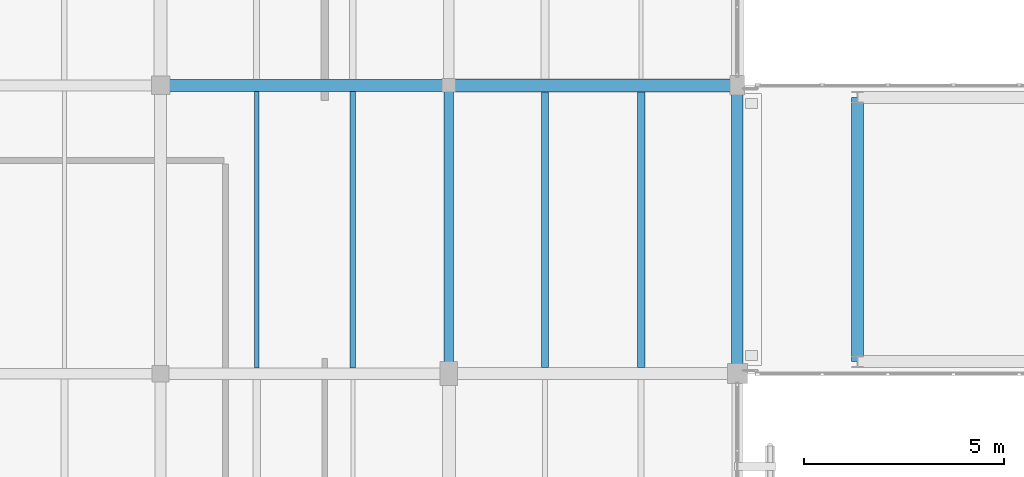
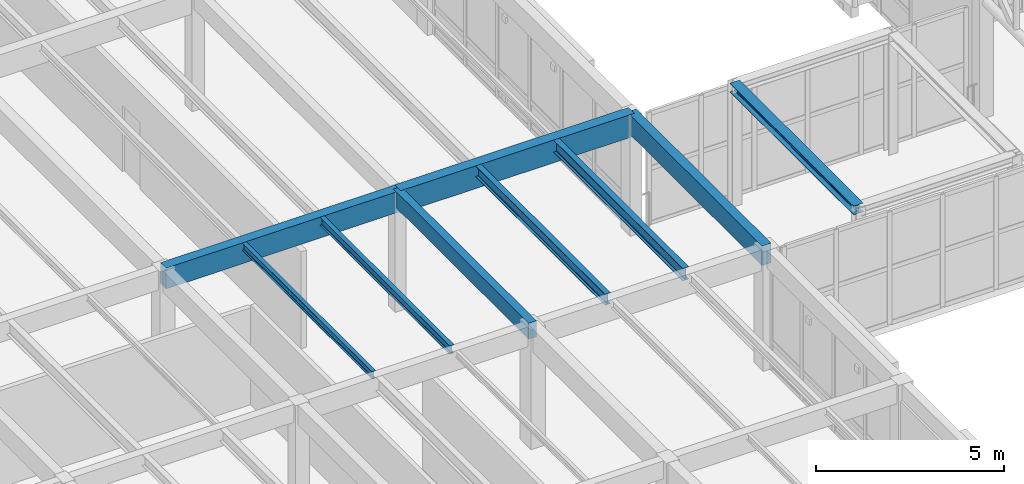
# One storey, part 63 of 217: 9 beams.
"""IFC4 building model written with IfcOpenShell, lengths in metres."""

from ifc_helpers import new_model, si_unit, direction, frame, origin, origin_2d, place, context, subcontext, project, spatial, rectangle, i_section, extrude, material, material_profile, profile_set, type_object, element, save


model = new_model("IFC4")

# Units and contexts
model_context = context("Model", 3, precision=1e-05, world=origin(), true_north=direction((0.0, 1.0)))
body_context = subcontext(model_context, "Body", "Model", "MODEL_VIEW")
ifc_project = project(units=[si_unit("LENGTHUNIT", "METRE"), si_unit("AREAUNIT", "SQUARE_METRE"), si_unit("VOLUMEUNIT", "CUBIC_METRE"), si_unit("PLANEANGLEUNIT", "RADIAN"), si_unit("MASSUNIT", "GRAM", prefix="KILO")], contexts=[model_context])

# Site, building, storey
site_placement = place(None, origin())
site = spatial("IfcSite", under=ifc_project, at=site_placement, CompositionType="ELEMENT")
building_placement = place(site_placement, origin())
building = spatial("IfcBuilding", under=site, at=building_placement, Name="Mazaris Harbour Polytechnic", CompositionType="ELEMENT")
storey_placement = place(building_placement, frame((0.0, 0.0, 9.60009765625)))
storey = spatial("IfcBuildingStorey", under=building, at=storey_placement, Name="L02", CompositionType="ELEMENT", Elevation=9.60009765625)

# Beams
ifc_material_1 = material(Name="Glulam GL32h", Category="wood")
ifc_material_profile_1 = material_profile(ifc_material_1, rectangle(XDim=0.239990234375, YDim=0.52001953125, at=origin_2d()), Name="RECT240x520")
ifc_profile_set_1 = profile_set([ifc_material_profile_1], Name="Glulam GL32h")
beam_type_1 = type_object("IfcBeamType", Name="Glulam Girder 240x520", PredefinedType="BEAM", material=ifc_profile_set_1)
beam_1_placement = place(storey_placement, frame((36.0, 75.60009765625, 3.6298828125), z_axis=(0.0, 1.0, 0.0), x_axis=(-1.0, 0.0, 0.0)))
element("IfcBeam", 1, at=beam_1_placement, inside=storey, type_object=beam_type_1, Name="V4 L02 Tie Girder 2030", PredefinedType="BEAM", context=body_context, shape_type="SweptSolid", body=[
    extrude(rectangle(XDim=0.239990234375, YDim=0.52001953125, at=origin_2d()), origin(), (0.0, 0.0, 1.0), 7.199951171875),
])
ifc_material_2 = material(Name="Glulam GL32h", Category="wood")
ifc_material_profile_2 = material_profile(ifc_material_2, rectangle(XDim=0.280029296875, YDim=0.639892578125, at=origin_2d()), Name="RECT280x640")
ifc_profile_set_2 = profile_set([ifc_material_profile_2], Name="Glulam GL32h")
beam_type_2 = type_object("IfcBeamType", Name="Glulam Girder 280x640 Exterior", PredefinedType="BEAM", material=ifc_profile_set_2)
beam_2_placement = place(storey_placement, frame((43.199951171875, 75.60009765625, 3.56982421875), z_axis=(0.0, 1.0, 0.0), x_axis=(-1.0, 0.0, 0.0)))
element("IfcBeam", 2, at=beam_2_placement, inside=storey, type_object=beam_type_2, Name="V4 L02 Tie Girder 2042", PredefinedType="BEAM", context=body_context, shape_type="SweptSolid", body=[
    extrude(rectangle(XDim=0.280029296875, YDim=0.639892578125, at=origin_2d()), origin(), (0.0, 0.0, 1.0), 7.199951171875),
])
ifc_material_3 = material(Name="Glulam GL32h", Category="wood")
ifc_material_profile_3 = material_profile(ifc_material_3, rectangle(XDim=0.300048828125, YDim=0.679931640625, at=origin_2d()), Name="RECT300x680")
ifc_profile_set_3 = profile_set([ifc_material_profile_3], Name="Glulam GL32h")
beam_type_3 = type_object("IfcBeamType", Name="Glulam Girder 300x680", PredefinedType="BEAM", material=ifc_profile_set_3)
beam_3_placement = place(storey_placement, frame((28.800048828125, 82.800048828125, 3.5498046875), z_axis=(1.0, 0.0, 0.0), x_axis=(0.0, 1.0, 0.0)))
element("IfcBeam", 3, at=beam_3_placement, inside=storey, type_object=beam_type_3, Name="V4 L02 Girder 1953", PredefinedType="BEAM", context=body_context, shape_type="SweptSolid", body=[
    extrude(rectangle(XDim=0.300048828125, YDim=0.679931640625, at=origin_2d()), origin(), (0.0, 0.0, 1.0), 7.199951171875),
])
ifc_material_4 = material(Name="Glulam GL32h", Category="wood")
ifc_material_profile_4 = material_profile(ifc_material_4, rectangle(XDim=0.320068359375, YDim=0.739990234375, at=origin_2d()), Name="RECT320x740")
ifc_profile_set_4 = profile_set([ifc_material_profile_4], Name="Glulam GL32h")
beam_type_4 = type_object("IfcBeamType", Name="Glulam Girder 320x740", PredefinedType="BEAM", material=ifc_profile_set_4)
beam_4_placement = place(storey_placement, frame((36.0, 82.800048828125, 3.52001953125), z_axis=(1.0, 0.0, 0.0), x_axis=(0.0, 1.0, 0.0)))
element("IfcBeam", 4, at=beam_4_placement, inside=storey, type_object=beam_type_4, Name="V4 L02 Girder 1954", PredefinedType="BEAM", context=body_context, shape_type="SweptSolid", body=[
    extrude(rectangle(XDim=0.320068359375, YDim=0.739990234375, at=origin_2d()), origin(), (0.0, 0.0, 1.0), 7.199951171875),
])
ifc_material_5 = material(Name="Steel S355", Category="steel")
ifc_material_profile_5 = material_profile(ifc_material_5, i_section(OverallWidth=0.300048828125, OverallDepth=0.2900390625, WebThickness=0.008544921875, FlangeThickness=0.013916015625, FilletRadius=0.027099609375, at=origin_2d()), Name="HEA 300")
ifc_profile_set_5 = profile_set([ifc_material_profile_5], Name="Steel S355")
beam_type_5 = type_object("IfcBeamType", Name="Steel Beam HEA300 Exterior", PredefinedType="SPANDREL", material=ifc_profile_set_5)
beam_5_placement = place(storey_placement, frame((46.199951171875, 75.89990234375, 3.81494140625), z_axis=(0.0, 1.0, 0.0), x_axis=(-1.0, 0.0, 0.0)))
element("IfcBeam", 5, at=beam_5_placement, inside=storey, type_object=beam_type_5, Name="PB-W2 L02 Bridge Beam 3432", PredefinedType="SPANDREL", context=body_context, shape_type="SweptSolid", body=[
    extrude(i_section(OverallWidth=0.300048828125, OverallDepth=0.2900390625, WebThickness=0.008544921875, FlangeThickness=0.013916015625, FilletRadius=0.027099609375, at=origin_2d()), origin(), (0.0, 0.0, 1.0), 6.60009765625),
])
ifc_material_6 = material(Name="Steel S355", Category="steel")
ifc_material_profile_6 = material_profile(ifc_material_6, i_section(OverallWidth=0.1201171875, OverallDepth=0.239990234375, WebThickness=0.006103515625, FlangeThickness=0.009765625, FilletRadius=0.014892578125, at=origin_2d()), Name="IPE 240")
ifc_profile_set_6 = profile_set([ifc_material_profile_6], Name="Steel S355")
beam_type_6 = type_object("IfcBeamType", Name="Steel Joist IPE240", PredefinedType="JOIST", material=ifc_profile_set_6)
beam_6_placement = place(storey_placement, frame((31.199951171875, 75.739990234375, 3.77001953125), z_axis=(0.0, 1.0, 0.0), x_axis=(-1.0, 0.0, 0.0)))
element("IfcBeam", 6, at=beam_6_placement, inside=storey, type_object=beam_type_6, Name="V4 L02 Floor Joist 2136", PredefinedType="JOIST", context=body_context, shape_type="SweptSolid", body=[
    extrude(i_section(OverallWidth=0.1201171875, OverallDepth=0.239990234375, WebThickness=0.006103515625, FlangeThickness=0.009765625, FilletRadius=0.014892578125, at=origin_2d()), origin(), (0.0, 0.0, 1.0), 6.909912109375),
])
ifc_material_7 = material(Name="Steel S355", Category="steel")
ifc_material_profile_7 = material_profile(ifc_material_7, i_section(OverallWidth=0.135009765625, OverallDepth=0.27001953125, WebThickness=0.006591796875, FlangeThickness=0.01025390625, FilletRadius=0.014892578125, at=origin_2d()), Name="IPE 270")
ifc_profile_set_7 = profile_set([ifc_material_profile_7], Name="Steel S355")
beam_type_7 = type_object("IfcBeamType", Name="Steel Joist IPE270", PredefinedType="JOIST", material=ifc_profile_set_7)
beam_7_placement = place(storey_placement, frame((33.60009765625, 75.739990234375, 3.7548828125), z_axis=(0.0, 1.0, 0.0), x_axis=(-1.0, 0.0, 0.0)))
element("IfcBeam", 7, at=beam_7_placement, inside=storey, type_object=beam_type_7, Name="V4 L02 Floor Joist 2137", PredefinedType="JOIST", context=body_context, shape_type="SweptSolid", body=[
    extrude(i_section(OverallWidth=0.135009765625, OverallDepth=0.27001953125, WebThickness=0.006591796875, FlangeThickness=0.01025390625, FilletRadius=0.014892578125, at=origin_2d()), origin(), (0.0, 0.0, 1.0), 6.909912109375),
])
ifc_material_8 = material(Name="Steel S355", Category="steel")
ifc_material_profile_8 = material_profile(ifc_material_8, i_section(OverallWidth=0.169921875, OverallDepth=0.360107421875, WebThickness=0.008056640625, FlangeThickness=0.0126953125, FilletRadius=0.01806640625, at=origin_2d()), Name="IPE 360")
ifc_profile_set_8 = profile_set([ifc_material_profile_8], Name="Steel S355")
beam_type_8 = type_object("IfcBeamType", Name="Steel Joist IPE360", PredefinedType="JOIST", material=ifc_profile_set_8)
beam_8_placement = place(storey_placement, frame((38.39990234375, 75.75, 3.7099609375), z_axis=(0.0, 1.0, 0.0), x_axis=(-1.0, 0.0, 0.0)))
element("IfcBeam", 8, at=beam_8_placement, inside=storey, type_object=beam_type_8, Name="V4 L02 Floor Joist 2160", PredefinedType="JOIST", context=body_context, shape_type="SweptSolid", body=[
    extrude(i_section(OverallWidth=0.169921875, OverallDepth=0.360107421875, WebThickness=0.008056640625, FlangeThickness=0.0126953125, FilletRadius=0.01806640625, at=origin_2d()), origin(), (0.0, 0.0, 1.0), 6.889892578125),
])
ifc_material_9 = material(Name="Steel S355", Category="steel")
ifc_material_profile_9 = material_profile(ifc_material_9, i_section(OverallWidth=0.179931640625, OverallDepth=0.39990234375, WebThickness=0.008544921875, FlangeThickness=0.013427734375, FilletRadius=0.02099609375, at=origin_2d()), Name="IPE 400")
ifc_profile_set_9 = profile_set([ifc_material_profile_9], Name="Steel S355")
beam_type_9 = type_object("IfcBeamType", Name="Steel Joist IPE400", PredefinedType="JOIST", material=ifc_profile_set_9)
beam_9_placement = place(storey_placement, frame((40.800048828125, 75.75, 3.68994140625), z_axis=(0.0, 1.0, 0.0), x_axis=(-1.0, 0.0, 0.0)))
element("IfcBeam", 9, at=beam_9_placement, inside=storey, type_object=beam_type_9, Name="V4 L02 Floor Joist 2161", PredefinedType="JOIST", context=body_context, shape_type="SweptSolid", body=[
    extrude(i_section(OverallWidth=0.179931640625, OverallDepth=0.39990234375, WebThickness=0.008544921875, FlangeThickness=0.013427734375, FilletRadius=0.02099609375, at=origin_2d()), origin(), (0.0, 0.0, 1.0), 6.889892578125),
])

save(model, "model.ifc")
